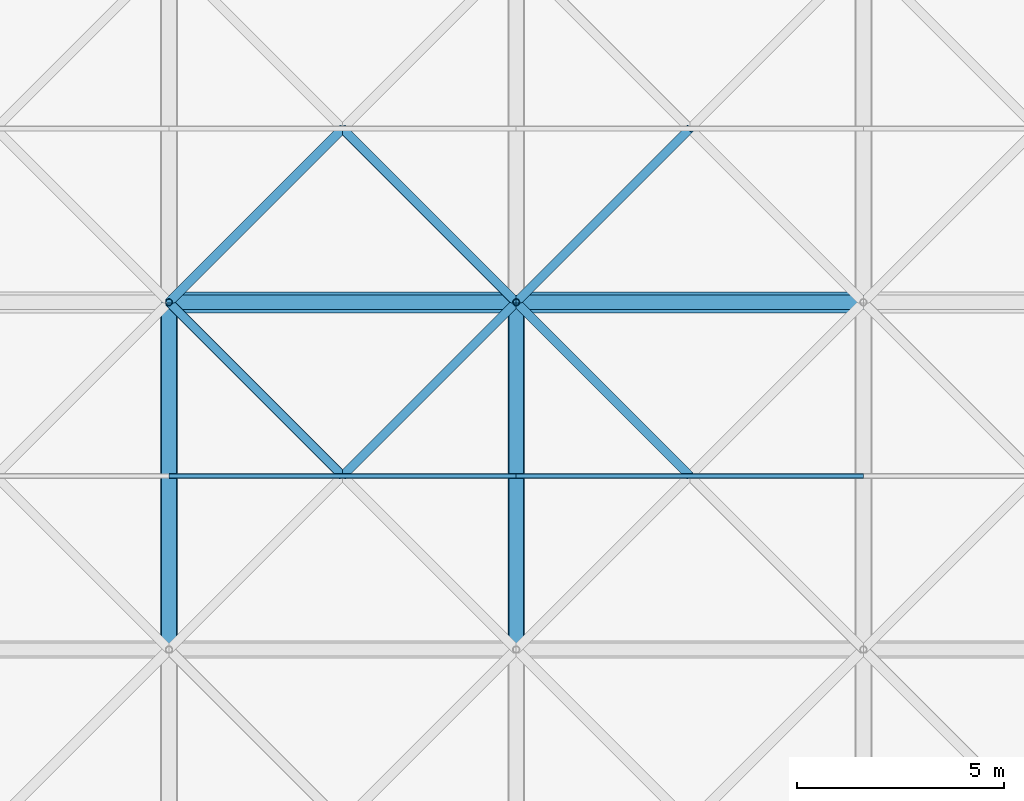
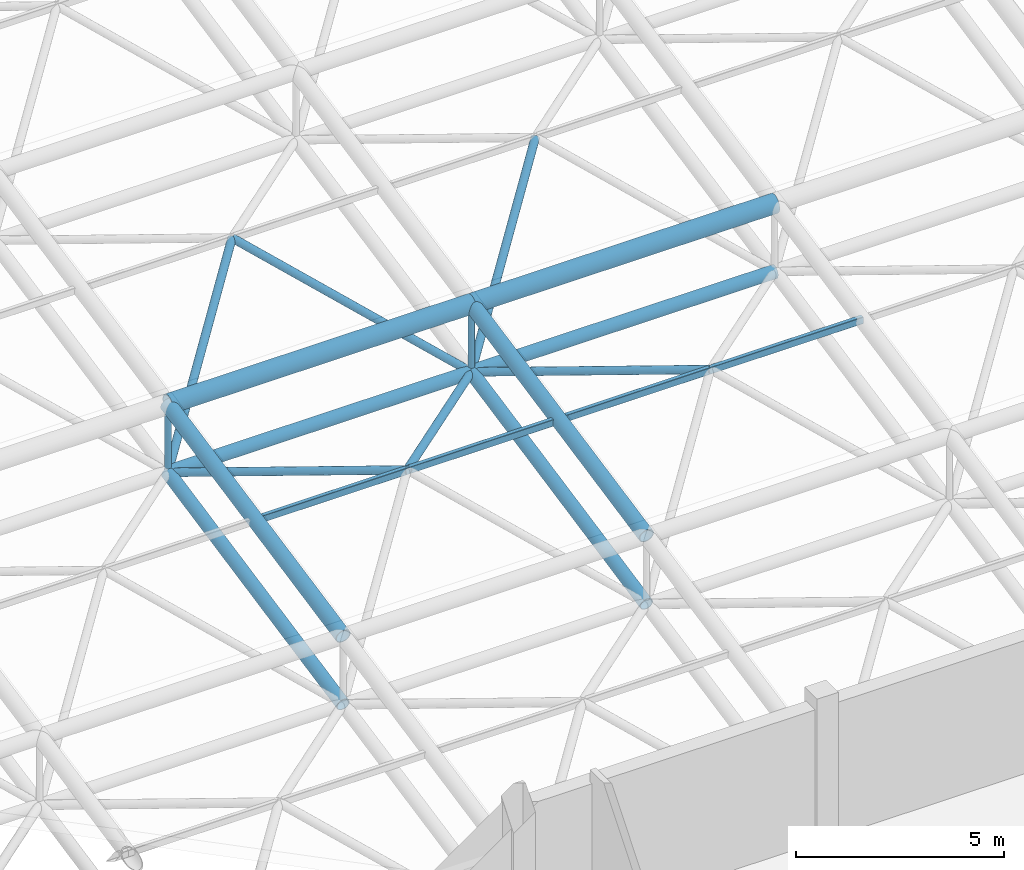
# One storey, part 12 of 81: 18 members.
"""IFC4 building model written with IfcOpenShell, lengths in metres."""

from ifc_helpers import new_model, si_unit, direction, frame, origin, origin_2d, place, context, subcontext, project, spatial, hollow_rectangle, hollow_circle, extrude, material, material_profile, profile_set, type_object, element, save


model = new_model("IFC4")

# Units and contexts
model_context = context("Model", 3, precision=1e-05, world=origin(), true_north=direction((0.0, 1.0)))
body_context = subcontext(model_context, "Body", "Model", "MODEL_VIEW")
ifc_project = project(units=[si_unit("LENGTHUNIT", "METRE"), si_unit("AREAUNIT", "SQUARE_METRE"), si_unit("VOLUMEUNIT", "CUBIC_METRE"), si_unit("PLANEANGLEUNIT", "RADIAN"), si_unit("MASSUNIT", "GRAM", prefix="KILO")], contexts=[model_context])

# Site, building, storey
site_placement = place(None, origin())
site = spatial("IfcSite", under=ifc_project, at=site_placement, CompositionType="ELEMENT")
building_placement = place(site_placement, origin())
building = spatial("IfcBuilding", under=site, at=building_placement, Name="Qawsi Khor Wholesale Market", CompositionType="ELEMENT")
storey_placement = place(building_placement, frame((0.0, 0.0, 16.199951171875)))
storey = spatial("IfcBuildingStorey", under=building, at=storey_placement, Name="L03", CompositionType="ELEMENT", Elevation=16.199951171875)

# Members
ifc_material = material(Name="Steel S355", Category="steel")
ifc_material_profile_1 = material_profile(ifc_material, hollow_circle(Radius=0.177734375, WallThickness=0.01611328125, at=origin_2d()), Name="CHS 355.6x16.0")
ifc_profile_set_1 = profile_set([ifc_material_profile_1], Name="Steel S355")
member_type_1 = type_object("IfcMemberType", Name="Space-Frame Bottom Chord CHS 355.6x16.0", PredefinedType="CHORD", material=ifc_profile_set_1)
member_1_placement = place(storey_placement, frame((33.60009765625, 50.39990234375, 1.670166015625), z_axis=(0.0, 0.98013111127, 0.198350711418), x_axis=(-1.0, 0.0, 0.0)))
element("IfcMember", 1, at=member_1_placement, inside=storey, type_object=member_type_1, Name="Space frame bottom chord Y WH (4,6)", PredefinedType="CHORD", context=body_context, shape_type="SweptSolid", body=[
    extrude(hollow_circle(Radius=0.177734375, WallThickness=0.01611328125, at=origin_2d()), origin(), (0.0, 0.0, 1.0), 8.5703125),
])
member_2_placement = place(storey_placement, frame((33.60009765625, 58.800048828125, 3.3701171875), z_axis=(1.0, 0.0, 0.0), x_axis=(0.0, 1.0, 0.0)))
element("IfcMember", 2, at=member_2_placement, inside=storey, type_object=member_type_1, Name="Space frame bottom chord X WH (4,7)", PredefinedType="CHORD", context=body_context, shape_type="SweptSolid", body=[
    extrude(hollow_circle(Radius=0.177734375, WallThickness=0.01611328125, at=origin_2d()), origin(), (0.0, 0.0, 1.0), 8.39990234375),
])
member_3_placement = place(storey_placement, frame((42.0, 50.39990234375, 1.670166015625), z_axis=(0.0, 0.98013111127, 0.198350711418), x_axis=(-1.0, 0.0, 0.0)))
element("IfcMember", 3, at=member_3_placement, inside=storey, type_object=member_type_1, Name="Space frame bottom chord Y WH (5,6)", PredefinedType="CHORD", context=body_context, shape_type="SweptSolid", body=[
    extrude(hollow_circle(Radius=0.177734375, WallThickness=0.01611328125, at=origin_2d()), origin(), (0.0, 0.0, 1.0), 8.5703125),
])
member_4_placement = place(storey_placement, frame((42.0, 58.800048828125, 3.3701171875), z_axis=(1.0, 0.0, 0.0), x_axis=(0.0, 1.0, 0.0)))
element("IfcMember", 4, at=member_4_placement, inside=storey, type_object=member_type_1, Name="Space frame bottom chord X WH (5,7)", PredefinedType="CHORD", context=body_context, shape_type="SweptSolid", body=[
    extrude(hollow_circle(Radius=0.177734375, WallThickness=0.01611328125, at=origin_2d()), origin(), (0.0, 0.0, 1.0), 8.39990234375),
])
ifc_material_profile_2 = material_profile(ifc_material, hollow_rectangle(XDim=0.1201171875, YDim=0.199951171875, WallThickness=0.008056640625, InnerFilletRadius=0.008056640625, OuterFilletRadius=0.01611328125, at=origin_2d()), Name="RHS 200x120x8.0")
ifc_profile_set_2 = profile_set([ifc_material_profile_2], Name="Steel S355")
member_type_2 = type_object("IfcMemberType", Name="Space-Frame Heavy Purlin RHS 200x120x8.0", PredefinedType="PURLIN", material=ifc_profile_set_2)
for number, where, z_axis, x_axis, name in (
    (5, (33.60009765625, 54.60009765625, 4.52001953125), (1.0, 0.0, 0.0), (0.0, 1.0, 0.0), "Space frame purlin WH (4,6)"),
    (6, (42.0, 54.60009765625, 4.52001953125), (1.0, 0.0, 0.0), (0.0, 1.0, 0.0), "Space frame purlin WH (5,6)"),
):
    element("IfcMember", number, at=place(storey_placement, frame(where, z_axis=z_axis, x_axis=x_axis)), inside=storey, type_object=member_type_2, Name=name, PredefinedType="PURLIN", context=body_context, shape_type="SweptSolid", body=[
        extrude(hollow_rectangle(XDim=0.1201171875, YDim=0.199951171875, WallThickness=0.008056640625, InnerFilletRadius=0.008056640625, OuterFilletRadius=0.01611328125, at=origin_2d()), origin(), (0.0, 0.0, 1.0), 8.39990234375),
    ])
ifc_material_profile_3 = material_profile(ifc_material, hollow_circle(Radius=0.109619140625, WallThickness=0.010009765625, at=origin_2d()), Name="CHS 219.1x10.0")
ifc_profile_set_3 = profile_set([ifc_material_profile_3], Name="Steel S355")
member_type_3 = type_object("IfcMemberType", Name="Space-Frame Inner Diagonal CHS 219.1x10.0", PredefinedType="RAFTER", material=ifc_profile_set_3)
for number, where, z_axis, x_axis, name in (
    (7, (42.0, 58.800048828125, 3.3701171875), (-0.694216714393, -0.694216714393, 0.190069216113), (0.707106781187, -0.707106781187, 0.0), "Space frame diagonal WH (4,6)-3"),
    (8, (33.60009765625, 58.800048828125, 3.3701171875), (0.694216714393, -0.694216714393, 0.190069216113), (0.707106781187, 0.707106781187, 0.0), "Space frame diagonal WH (4,6)-4"),
):
    element("IfcMember", number, at=place(storey_placement, frame(where, z_axis=z_axis, x_axis=x_axis)), inside=storey, type_object=member_type_3, Name=name, PredefinedType="RAFTER", context=body_context, shape_type="SweptSolid", body=[
        extrude(hollow_circle(Radius=0.109619140625, WallThickness=0.010009765625, at=origin_2d()), origin(), (0.0, 0.0, 1.0), 6.0498046875),
    ])
for number, where, z_axis, x_axis, name in (
    (9, (33.60009765625, 58.800048828125, 3.3701171875), (0.637521961484, 0.637521961484, 0.432586982294), (-0.707106781187, 0.707106781187, 0.0), "Space frame diagonal WH (4,7)-1"),
    (10, (42.0, 58.800048828125, 3.3701171875), (-0.637521961484, 0.637521961484, 0.432586982294), (-0.707106781187, -0.707106781187, 0.0), "Space frame diagonal WH (4,7)-2"),
):
    element("IfcMember", number, at=place(storey_placement, frame(where, z_axis=z_axis, x_axis=x_axis)), inside=storey, type_object=member_type_3, Name=name, PredefinedType="RAFTER", context=body_context, shape_type="SweptSolid", body=[
        extrude(hollow_circle(Radius=0.109619140625, WallThickness=0.010009765625, at=origin_2d()), origin(), (0.0, 0.0, 1.0), 6.587890625),
    ])
member_5_placement = place(storey_placement, frame((42.0, 58.800048828125, 3.3701171875), z_axis=(0.694216714393, -0.694216714393, 0.190069216113), x_axis=(0.707106781187, 0.707106781187, 0.0)))
element("IfcMember", 11, at=member_5_placement, inside=storey, type_object=member_type_3, Name="Space frame diagonal WH (5,6)-4", PredefinedType="RAFTER", context=body_context, shape_type="SweptSolid", body=[
    extrude(hollow_circle(Radius=0.109619140625, WallThickness=0.010009765625, at=origin_2d()), origin(), (0.0, 0.0, 1.0), 6.0498046875),
])
member_6_placement = place(storey_placement, frame((42.0, 58.800048828125, 3.3701171875), z_axis=(0.637521961484, 0.637521961484, 0.432586982294), x_axis=(-0.707106781187, 0.707106781187, 0.0)))
element("IfcMember", 12, at=member_6_placement, inside=storey, type_object=member_type_3, Name="Space frame diagonal WH (5,7)-1", PredefinedType="RAFTER", context=body_context, shape_type="SweptSolid", body=[
    extrude(hollow_circle(Radius=0.109619140625, WallThickness=0.010009765625, at=origin_2d()), origin(), (0.0, 0.0, 1.0), 6.587890625),
])
ifc_material_profile_4 = material_profile(ifc_material, hollow_circle(Radius=0.25390625, WallThickness=0.02490234375, at=origin_2d()), Name="CHS 508.0x25.0")
ifc_profile_set_4 = profile_set([ifc_material_profile_4], Name="Steel S355")
member_type_4 = type_object("IfcMemberType", Name="Space-Frame Main Chord CHS 508.0x25.0", PredefinedType="CHORD", material=ifc_profile_set_4)
for number, where, z_axis, x_axis, name in (
    (13, (33.60009765625, 58.800048828125, 5.3701171875), (1.0, 0.0, 0.0), (0.0, 1.0, 0.0), "Space frame top chord X WH (4,7)"),
    (14, (42.0, 58.800048828125, 5.3701171875), (1.0, 0.0, 0.0), (0.0, 1.0, 0.0), "Space frame top chord X WH (5,7)"),
):
    element("IfcMember", number, at=place(storey_placement, frame(where, z_axis=z_axis, x_axis=x_axis)), inside=storey, type_object=member_type_4, Name=name, PredefinedType="CHORD", context=body_context, shape_type="SweptSolid", body=[
        extrude(hollow_circle(Radius=0.25390625, WallThickness=0.02490234375, at=origin_2d()), origin(), (0.0, 0.0, 1.0), 8.39990234375),
    ])
ifc_material_profile_5 = material_profile(ifc_material, hollow_circle(Radius=0.203125, WallThickness=0.02001953125, at=origin_2d()), Name="CHS 406.4x20.0")
ifc_profile_set_5 = profile_set([ifc_material_profile_5], Name="Steel S355")
member_type_5 = type_object("IfcMemberType", Name="Space-Frame Top Chord CHS 406.4x20.0", PredefinedType="CHORD", material=ifc_profile_set_5)
for number, where, z_axis, x_axis, name in (
    (15, (33.60009765625, 50.39990234375, 3.670166015625), (0.0, 0.98013111127, 0.198350711418), (-1.0, 0.0, 0.0), "Space frame top chord Y WH (4,6)"),
    (16, (42.0, 50.39990234375, 3.670166015625), (0.0, 0.98013111127, 0.198350711418), (-1.0, 0.0, 0.0), "Space frame top chord Y WH (5,6)"),
):
    element("IfcMember", number, at=place(storey_placement, frame(where, z_axis=z_axis, x_axis=x_axis)), inside=storey, type_object=member_type_5, Name=name, PredefinedType="CHORD", context=body_context, shape_type="SweptSolid", body=[
        extrude(hollow_circle(Radius=0.203125, WallThickness=0.02001953125, at=origin_2d()), origin(), (0.0, 0.0, 1.0), 8.5703125),
    ])
ifc_material_profile_6 = material_profile(ifc_material, hollow_circle(Radius=0.084228515625, WallThickness=0.008056640625, at=origin_2d()), Name="CHS 168.3x8.0")
ifc_profile_set_6 = profile_set([ifc_material_profile_6], Name="Steel S355")
member_type_6 = type_object("IfcMemberType", Name="Space-Frame Vertical Strut CHS 168.3x8.0", PredefinedType="STRUT", material=ifc_profile_set_6)
for number, where, z_axis, x_axis, name in (
    (17, (33.60009765625, 58.800048828125, 3.3701171875), (0.0, 0.0, 1.0), (1.0, 0.0, 0.0), "Space frame post WH (4,7)"),
    (18, (42.0, 58.800048828125, 3.3701171875), (0.0, 0.0, 1.0), (1.0, 0.0, 0.0), "Space frame post WH (5,7)"),
):
    element("IfcMember", number, at=place(storey_placement, frame(where, z_axis=z_axis, x_axis=x_axis)), inside=storey, type_object=member_type_6, Name=name, PredefinedType="STRUT", context=body_context, shape_type="SweptSolid", body=[
        extrude(hollow_circle(Radius=0.084228515625, WallThickness=0.008056640625, at=origin_2d()), origin(), (0.0, 0.0, 1.0), 2.0),
    ])

save(model, "model.ifc")
